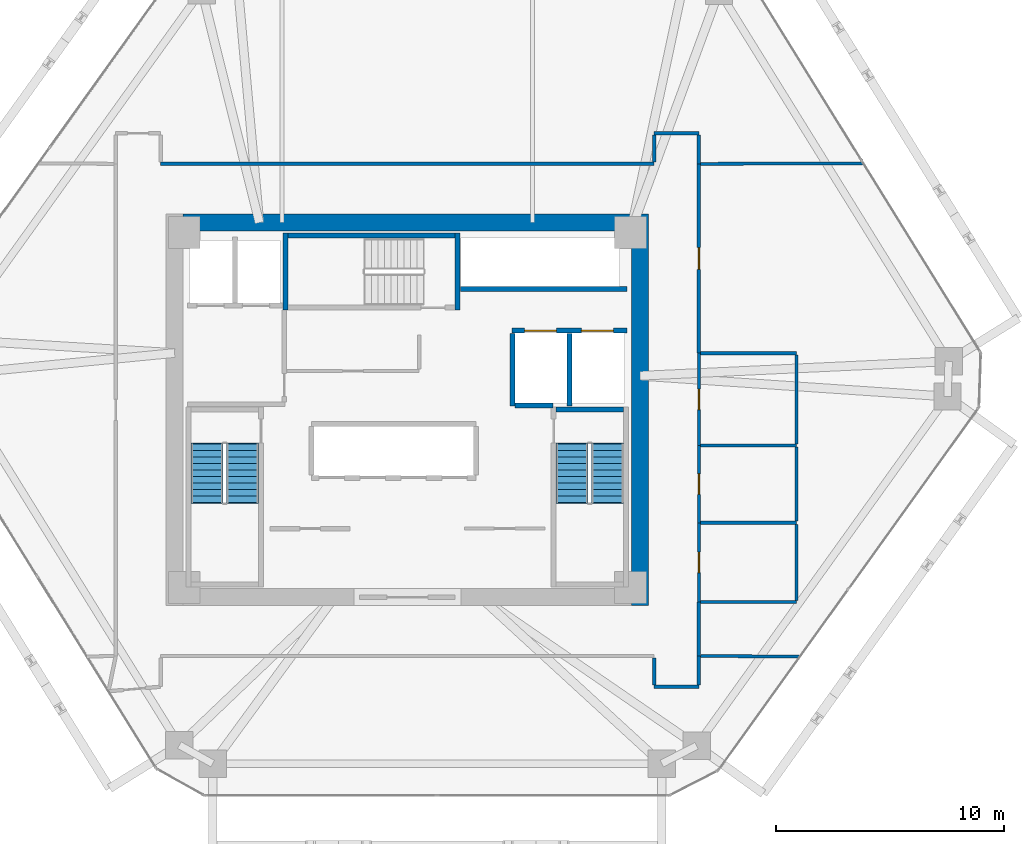
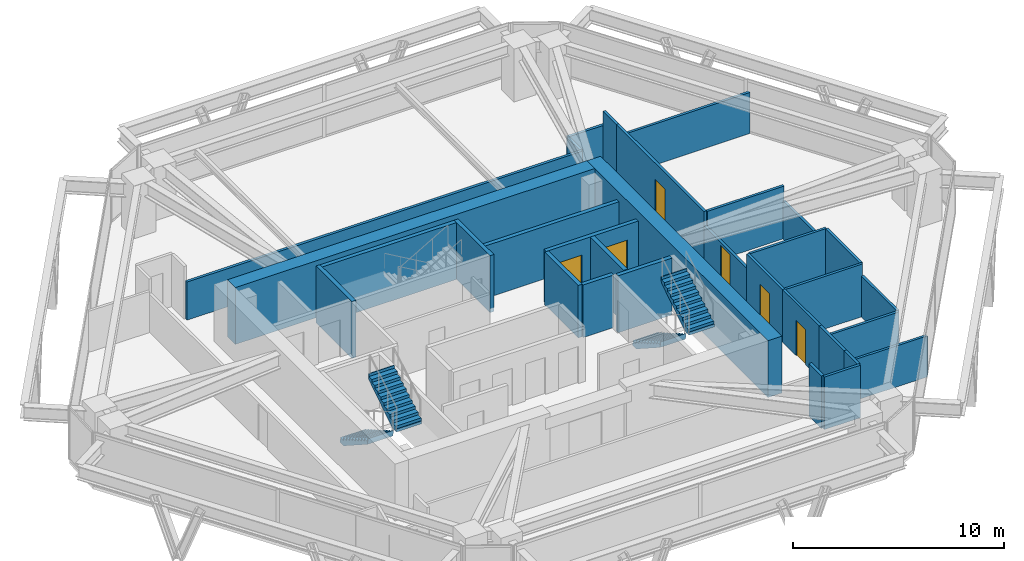
# One storey, part 11 of 13: 32 walls, 6 doors, 4 stair flights, 6 openings, 2 elements without a shape of their own.
"""IFC4 building model written with IfcOpenShell, lengths in metres."""

import ifcopenshell
import ifcopenshell.guid

model = None  # the IFC model being written
_history = None  # IfcOwnerHistory: only IFC2X3 demands one
_inside = {}  # id of a spatial element -> (the spatial element, [elements in it])
_under = {}  # id of a project, library or spatial element -> (it, [spatial elements below it])
_declared = {}  # id of a project -> (the project, [libraries it declares])
_typed = {}  # id of a type object -> (the type object, [elements of that type])
_made_of = {}  # id of a material, layer set ... -> (it, [elements and type objects made of it])


def new_model(schema):
    """Start an empty IFC model of exactly this schema.

    Asked for "IFC4X3", IfcOpenShell would pick the latest addendum, in which some entities
    have other attributes; the version numbers below select the first issue.
    IFC2X3 requires an IfcOwnerHistory on every rooted entity: one is made here for all.
    """
    global model, _history
    if schema == "IFC4X3":
        model = ifcopenshell.file(schema_version=(4, 3, 0, 0))
    else:
        model = ifcopenshell.file(schema=schema)
    _inside.clear()
    _under.clear()
    _declared.clear()
    _typed.clear()
    _made_of.clear()
    _history = None
    if model.schema == "IFC2X3":
        org = make("IfcOrganization", Name="unknown")
        user = make(
            "IfcPersonAndOrganization",
            ThePerson=make("IfcPerson", FamilyName="unknown"),
            TheOrganization=org,
        )
        app = make(
            "IfcApplication",
            ApplicationDeveloper=org,
            Version="unknown",
            ApplicationFullName="unknown",
            ApplicationIdentifier="unknown",
        )
        _history = make(
            "IfcOwnerHistory",
            OwningUser=user,
            OwningApplication=app,
            ChangeAction="ADDED",
            CreationDate=0,
        )
    return model


def make(cls, **values):
    """One entity of the class cls with the attributes given. An attribute that is None is left unset."""
    return model.create_entity(
        cls, **{name: value for name, value in values.items() if value is not None}
    )


def rooted(cls, **values):
    """An entity with a GlobalId (a new one), such as an element, a storey or a relation."""
    return make(cls, GlobalId=ifcopenshell.guid.new(), OwnerHistory=_history, **values)


def si_unit(unit_type, name, prefix=None):
    """IfcSIUnit, for example si_unit("LENGTHUNIT", "METRE", prefix="MILLI")."""
    return make("IfcSIUnit", UnitType=unit_type, Prefix=prefix, Name=name)


def assignment(units):
    """IfcUnitAssignment: the units of a project."""
    return None if units is None else make("IfcUnitAssignment", Units=units)


def point(xyz):
    """IfcCartesianPoint."""
    return None if xyz is None else make("IfcCartesianPoint", Coordinates=xyz)


def direction(xyz):
    """IfcDirection."""
    return None if xyz is None else make("IfcDirection", DirectionRatios=xyz)


def frame(location, z_axis=None, x_axis=None):
    """IfcAxis2Placement3D, a coordinate frame: its origin and axes. An axis left out is left unset."""
    return make(
        "IfcAxis2Placement3D",
        Location=point(location),
        Axis=direction(z_axis),
        RefDirection=direction(x_axis),
    )


def frame_2d(location, x_axis=None):
    """IfcAxis2Placement2D, a coordinate frame in the plane: its origin and x axis."""
    return make(
        "IfcAxis2Placement2D", Location=point(location), RefDirection=direction(x_axis)
    )


def origin():
    """The frame at (0, 0, 0) with its axes left unset."""
    return frame((0.0, 0.0, 0.0))


def place(relative_to, where):
    """IfcLocalPlacement: puts the frame where relative to a parent placement (None: the world)."""
    return make(
        "IfcLocalPlacement", PlacementRelTo=relative_to, RelativePlacement=where
    )


def context(
    kind, dimensions, precision=None, world=None, true_north=None, identifier=None
):
    """IfcGeometricRepresentationContext, for example the 3D "Model" context."""
    return make(
        "IfcGeometricRepresentationContext",
        ContextIdentifier=identifier,
        ContextType=kind,
        CoordinateSpaceDimension=dimensions,
        Precision=precision,
        WorldCoordinateSystem=world,
        TrueNorth=true_north,
    )


def subcontext(parent, identifier, kind, view, scale=None):
    """IfcGeometricRepresentationSubContext, for example "Body" below "Model"."""
    return make(
        "IfcGeometricRepresentationSubContext",
        ContextIdentifier=identifier,
        ContextType=kind,
        ParentContext=parent,
        TargetScale=scale,
        TargetView=view,
    )


def project(units=None, contexts=None):
    """IfcProject with its units and contexts."""
    return rooted(
        "IfcProject",
        Name="project",
        RepresentationContexts=contexts,
        UnitsInContext=assignment(units),
    )


def spatial(cls, under=None, at=None, **own):
    """A site, building, storey or space (cls), placed at a placement, below another one or the project."""
    s = rooted(cls, ObjectPlacement=at, **own)
    if under is not None:
        _under.setdefault(under.id(), (under, []))[1].append(s)
    return s


def polyline(points):
    """IfcPolyline through the points."""
    return make("IfcPolyline", Points=[point(p) for p in points])


def profile(cls, at=None, kind="AREA", **sizes):
    """A parametric profile (cls). Its sizes go by their IFC names, for example OverallWidth=200.0."""
    return make(cls, ProfileType=kind, Position=at, **sizes)


def rectangle(**sizes):
    """IfcRectangleProfileDef."""
    return profile("IfcRectangleProfileDef", **sizes)


def outline(outer, holes=None, kind="AREA"):
    """IfcArbitraryClosedProfileDef: a profile drawn as a closed curve; with holes, ...WithVoids."""
    if holes is None:
        return make("IfcArbitraryClosedProfileDef", ProfileType=kind, OuterCurve=outer)
    return make(
        "IfcArbitraryProfileDefWithVoids",
        ProfileType=kind,
        OuterCurve=outer,
        InnerCurves=holes,
    )


def extrude(swept, where, along, depth):
    """IfcExtrudedAreaSolid: the profile swept, set in the frame where, extruded along a direction by depth."""
    return make(
        "IfcExtrudedAreaSolid",
        SweptArea=swept,
        Position=where,
        ExtrudedDirection=direction(along),
        Depth=depth,
    )


def shape(context_of_items, identifier, shape_type, items):
    """IfcShapeRepresentation: the items that make up one representation, for example the "Body"."""
    return make(
        "IfcShapeRepresentation",
        ContextOfItems=context_of_items,
        RepresentationIdentifier=identifier,
        RepresentationType=shape_type,
        Items=items,
    )


def source(mapping_origin, context_of_items, identifier, shape_type, items):
    """IfcRepresentationMap: a shape defined once, which mapped items show again and again."""
    return make(
        "IfcRepresentationMap",
        MappingOrigin=mapping_origin,
        MappedRepresentation=shape(context_of_items, identifier, shape_type, items),
    )


def transform(
    local_origin,
    x_axis=None,
    y_axis=None,
    z_axis=None,
    scale=None,
    scale2=None,
    scale3=None,
    uniform=True,
):
    """IfcCartesianTransformationOperator3D, or its non-uniform kind. x_axis, y_axis, z_axis: its Axis1, 2, 3."""
    if uniform:
        return make(
            "IfcCartesianTransformationOperator3D",
            Axis1=direction(x_axis),
            Axis2=direction(y_axis),
            LocalOrigin=point(local_origin),
            Scale=scale,
            Axis3=direction(z_axis),
        )
    return make(
        "IfcCartesianTransformationOperator3DnonUniform",
        Axis1=direction(x_axis),
        Axis2=direction(y_axis),
        LocalOrigin=point(local_origin),
        Scale=scale,
        Axis3=direction(z_axis),
        Scale2=scale2,
        Scale3=scale3,
    )


def mapped(mapping_source, mapping_target):
    """IfcMappedItem: shows the shape of a source again, moved by a transform."""
    return make(
        "IfcMappedItem", MappingSource=mapping_source, MappingTarget=mapping_target
    )


def material(Name=None, Category=None):
    """IfcMaterial."""
    return make("IfcMaterial", Name=Name, Category=Category)


def layer(
    of_material, thickness, ventilated=None, Name=None, Category=None, Priority=None
):
    """IfcMaterialLayer: one layer of a wall or slab, of a material (None: an air gap)."""
    return make(
        "IfcMaterialLayer",
        Material=of_material,
        LayerThickness=thickness,
        IsVentilated=ventilated,
        Name=Name,
        Category=Category,
        Priority=Priority,
    )


def layer_set(layers, Name=None):
    """IfcMaterialLayerSet."""
    return make("IfcMaterialLayerSet", MaterialLayers=layers, LayerSetName=Name)


def made_of(thing, what):
    """Note that an element or type object is made of a material, layer set ...; save() writes the relation."""
    if what is not None:
        _made_of.setdefault(what.id(), (what, []))[1].append(thing)
    return thing


def type_object(cls, material=None, **own):
    """A type object (cls), such as IfcWallType, which elements share."""
    return made_of(rooted(cls, **own), material)


def type_shapes(of_type, sources):
    """Give a type object the sources (RepresentationMaps) that its elements show as mapped items."""
    of_type.RepresentationMaps = sources


def element(
    cls,
    number,
    at=None,
    inside=None,
    cuts=None,
    type_object=None,
    material=None,
    context=None,
    identifier="Body",
    shape_type=None,
    held_by="IfcProductDefinitionShape",
    body=None,
    shapes=None,
    **own,
):
    """One element of the class cls, such as IfcWall. Its Tag is "e" and its number.

    at: its placement. inside: the storey or other place that contains it. cuts: it is an
    opening in that element (IfcRelVoidsElement). A single representation is given by context,
    identifier, shape_type and body (its items); several are given by shapes. held_by: the class
    of the entity that holds the representations. save() writes the other relations.
    """
    e = rooted(cls, Tag="e%d" % number, ObjectPlacement=at, **own)
    if body is not None:
        shapes = [shape(context, identifier, shape_type, body)]
    if shapes is not None:
        e.Representation = make(held_by, Representations=shapes)
    if inside is not None:
        _inside.setdefault(inside.id(), (inside, []))[1].append(e)
    if cuts is not None:
        rooted(
            "IfcRelVoidsElement", RelatingBuildingElement=cuts, RelatedOpeningElement=e
        )
    if type_object is not None:
        _typed.setdefault(type_object.id(), (type_object, []))[1].append(e)
    return made_of(e, material)


def fill(opening, filler):
    """IfcRelFillsElement: the door or window that sits in an opening."""
    return rooted(
        "IfcRelFillsElement",
        RelatingOpeningElement=opening,
        RelatedBuildingElement=filler,
    )


def aggregate(whole, parts):
    """IfcRelAggregates: a whole, such as a stair, and the parts it consists of."""
    return rooted("IfcRelAggregates", RelatingObject=whole, RelatedObjects=parts)


def save(model, path):
    """Write the relations noted so far, then the file.

    IfcRelAggregates (storeys below a building ...), IfcRelContainedInSpatialStructure (elements
    in a storey), IfcRelDefinesByType, IfcRelAssociatesMaterial and IfcRelDeclares: one each for
    every whole, place, type object, material and project.
    """
    for whole, parts in _under.values():
        aggregate(whole, parts)
    for where, things in _inside.values():
        rooted(
            "IfcRelContainedInSpatialStructure",
            RelatedElements=things,
            RelatingStructure=where,
        )
    for kind, things in _typed.values():
        rooted("IfcRelDefinesByType", RelatedObjects=things, RelatingType=kind)
    for what, things in _made_of.values():
        rooted("IfcRelAssociatesMaterial", RelatedObjects=things, RelatingMaterial=what)
    for by, libraries in _declared.values():
        rooted("IfcRelDeclares", RelatingContext=by, RelatedDefinitions=libraries)
    model.write(path)


model = new_model("IFC4")

# Units and contexts
model_context = context("Model", 3, precision=1e-05, world=origin(), true_north=direction((0.0, 1.0)))
body_context = subcontext(model_context, "Body", "Model", "MODEL_VIEW")
ifc_project = project(units=[si_unit("LENGTHUNIT", "METRE"), si_unit("AREAUNIT", "SQUARE_METRE"), si_unit("VOLUMEUNIT", "CUBIC_METRE"), si_unit("PLANEANGLEUNIT", "RADIAN"), si_unit("MASSUNIT", "GRAM", prefix="KILO")], contexts=[model_context])

# Site, building, storey
site_placement = place(None, origin())
site = spatial("IfcSite", under=ifc_project, at=site_placement, CompositionType="ELEMENT")
building_placement = place(site_placement, origin())
building = spatial("IfcBuilding", under=site, at=building_placement, Name="Durnholm Broadcast Tower", CompositionType="ELEMENT")
storey_placement = place(building_placement, frame((0.0, 0.0, 100.800048828125)))
storey = spatial("IfcBuildingStorey", under=building, at=storey_placement, Name="L26", CompositionType="ELEMENT", Elevation=100.800048828125)

# Walls
ifc_material_1 = material(Name="Concrete C70/85", Category="concrete")
ifc_layer_1 = layer(ifc_material_1, 0.75)
ifc_layer_set_1 = layer_set([ifc_layer_1], Name="Concrete C70/85")
wall_type_1 = type_object("IfcWallType", Name="WALL-CW-750", PredefinedType="SHEAR", material=ifc_layer_set_1)
wall_1_placement = place(storey_placement, frame((10.22509765625, -8.60009765625, 0.0), z_axis=(0.0, 0.0, 1.0), x_axis=(0.0, 1.0, 0.0)))
element("IfcWall", 1, at=wall_1_placement, inside=storey, type_object=wall_type_1, Name="L26 central core shear wall CW-EAST", PredefinedType="SHEAR", context=body_context, shape_type="SweptSolid", body=[
    extrude(rectangle(XDim=17.2001953125, YDim=0.75, at=frame_2d((8.60009765625, 0.0))), origin(), (0.0, 0.0, 1.0), 3.300048828125),
])
wall_2_placement = place(storey_placement, frame((-9.85009765625, 8.22509765625, 0.0), z_axis=(0.0, 0.0, 1.0), x_axis=(1.0, 0.0, 0.0)))
element("IfcWall", 2, at=wall_2_placement, inside=storey, type_object=wall_type_1, Name="L26 central core shear wall CW-N", PredefinedType="SHEAR", context=body_context, shape_type="SweptSolid", body=[
    extrude(rectangle(XDim=19.7001953125, YDim=0.75, at=frame_2d((9.85009765625, 0.0))), origin(), (0.0, 0.0, 1.0), 3.300048828125),
])
ifc_material_2 = material(Name="Gypsum Metal Stud Partition", Category="concrete")
ifc_layer_2 = layer(ifc_material_2, 0.135009765625)
ifc_layer_set_2 = layer_set([ifc_layer_2], Name="Gypsum Metal Stud Partition")
wall_type_2 = type_object("IfcWallType", Name="WALL-PART-135", PredefinedType="PARTITIONING", material=ifc_layer_set_2)
wall_3_placement = place(storey_placement, frame((20.03515625, 10.8310546875, 0.0), z_axis=(0.0, 0.0, 1.0), x_axis=(-0.999995783715, -0.002903885812, 0.0)))
element("IfcWall", 3, at=wall_3_placement, inside=storey, type_object=wall_type_2, Name="L26 room dividing partition 7.10", PredefinedType="PARTITIONING", context=body_context, shape_type="SweptSolid", body=[
    extrude(rectangle(XDim=7.146240234375, YDim=0.135009765625, at=frame_2d((3.5732421875, 0.0))), origin(), (0.0, 0.0, 1.0), 2.3798828125),
])
wall_4_placement = place(storey_placement, frame((12.888916015625, -10.810302734375, 0.0), z_axis=(0.0, 0.0, 1.0), x_axis=(0.999986140562, -0.005264853658, 0.0)))
element("IfcWall", 4, at=wall_4_placement, inside=storey, type_object=wall_type_2, Name="L26 room dividing partition 8.10", PredefinedType="PARTITIONING", context=body_context, shape_type="SweptSolid", body=[
    extrude(rectangle(XDim=4.35888671875, YDim=0.135009765625, at=frame_2d((2.179443359375, 0.0))), origin(), (0.0, 0.0, 1.0), 2.3798828125),
])
ifc_material_3 = material(Name="Acoustic Gypsum Stud Partition", Category="concrete")
ifc_layer_3 = layer(ifc_material_3, 0.14990234375)
ifc_layer_set_3 = layer_set([ifc_layer_3], Name="Acoustic Gypsum Stud Partition")
wall_type_3 = type_object("IfcWallType", Name="WALL-PART-150", PredefinedType="PARTITIONING", material=ifc_layer_set_3)
wall_5_placement = place(storey_placement, frame((10.840087890625, 10.81005859375, 0.0), z_axis=(0.0, 0.0, 1.0), x_axis=(-1.0, 0.0, 0.0)))
element("IfcWall", 5, at=wall_5_placement, inside=storey, type_object=wall_type_3, Name="L26 Network Operations Hall corridor partition", PredefinedType="PARTITIONING", context=body_context, shape_type="SweptSolid", body=[
    extrude(rectangle(XDim=21.68017578125, YDim=0.14990234375, at=frame_2d((10.840087890625, 0.0))), origin(), (0.0, 0.0, 1.0), 2.212158203125),
])
wall_6_placement = place(storey_placement, frame((12.81005859375, 12.159912109375, 0.0), z_axis=(0.0, 0.0, 1.0), x_axis=(-1.0, 0.0, 0.0)))
element("IfcWall", 6, at=wall_6_placement, inside=storey, type_object=wall_type_3, Name="L26 Network Operations Hall corridor partition", PredefinedType="PARTITIONING", context=body_context, shape_type="SweptSolid", body=[
    extrude(rectangle(XDim=1.969970703125, YDim=0.14990234375, at=frame_2d((0.98486328125, 0.0))), origin(), (0.0, 0.0, 1.0), 2.212158203125),
])
wall_7_placement = place(storey_placement, frame((12.81005859375, 10.81005859375, 0.0), z_axis=(0.0, 0.0, 1.0), x_axis=(0.0, 1.0, 0.0)))
element("IfcWall", 7, at=wall_7_placement, inside=storey, type_object=wall_type_3, Name="L26 Network Operations Hall corridor partition", PredefinedType="PARTITIONING", context=body_context, shape_type="SweptSolid", body=[
    extrude(rectangle(XDim=1.27099609375, YDim=0.14990234375, at=frame_2d((0.635498046875, 0.0))), origin(), (0.0, 0.0, 1.0), 3.044921875),
])
wall_8_placement = place(storey_placement, frame((10.840087890625, 12.0810546875, 0.0), z_axis=(0.0, 0.0, 1.0), x_axis=(0.0, -1.0, 0.0)))
element("IfcWall", 8, at=wall_8_placement, inside=storey, type_object=wall_type_3, Name="L26 Network Operations Hall corridor partition", PredefinedType="PARTITIONING", context=body_context, shape_type="SweptSolid", body=[
    extrude(rectangle(XDim=1.192138671875, YDim=0.14990234375, at=frame_2d((0.59619140625, 0.0))), origin(), (0.0, 0.0, 1.0), 2.212158203125),
])
wall_9_placement = place(storey_placement, frame((10.840087890625, -12.159912109375, 0.0), z_axis=(0.0, 0.0, 1.0), x_axis=(1.0, 0.0, 0.0)))
element("IfcWall", 9, at=wall_9_placement, inside=storey, type_object=wall_type_3, Name="L26 Open Plan Broadcast Workspace 3 corridor partition", PredefinedType="PARTITIONING", context=body_context, shape_type="SweptSolid", body=[
    extrude(rectangle(XDim=1.969970703125, YDim=0.14990234375, at=frame_2d((0.98486328125, 0.0))), origin(), (0.0, 0.0, 1.0), 3.044921875),
])
wall_10_placement = place(storey_placement, frame((10.840087890625, -10.888916015625, 0.0), z_axis=(0.0, 0.0, 1.0), x_axis=(0.0, -1.0, 0.0)))
element("IfcWall", 10, at=wall_10_placement, inside=storey, type_object=wall_type_3, Name="L26 Open Plan Broadcast Workspace 3 corridor partition", PredefinedType="PARTITIONING", context=body_context, shape_type="SweptSolid", body=[
    extrude(rectangle(XDim=1.192138671875, YDim=0.14990234375, at=frame_2d((0.59619140625, 0.0))), origin(), (0.0, 0.0, 1.0), 3.044921875),
])
wall_11_placement = place(storey_placement, frame((12.81005859375, -12.0810546875, 0.0), z_axis=(0.0, 0.0, 1.0), x_axis=(0.0, 1.0, 0.0)))
element("IfcWall", 11, at=wall_11_placement, inside=storey, type_object=wall_type_3, Name="L26 Open Plan Broadcast Workspace 3 corridor partition", PredefinedType="PARTITIONING", context=body_context, shape_type="SweptSolid", body=[
    extrude(rectangle(XDim=1.27099609375, YDim=0.14990234375, at=frame_2d((0.635498046875, 0.0))), origin(), (0.0, 0.0, 1.0), 3.044921875),
])

# Wall, opening, door
wall_12_placement = place(storey_placement, frame((12.81005859375, 2.489990234375, 0.0), z_axis=(0.0, 0.0, 1.0), x_axis=(0.0, 1.0, 0.0)))
wall_12 = element("IfcWall", 12, at=wall_12_placement, inside=storey, type_object=wall_type_3, Name="L26 Systems Lounge corridor partition", PredefinedType="PARTITIONING", context=body_context, shape_type="SweptSolid", body=[
    extrude(rectangle(XDim=8.320068359375, YDim=0.14990234375, at=frame_2d((4.16015625, 0.0))), origin(), (0.0, 0.0, 1.0), 3.044921875),
])
opening_1_placement = place(wall_12_placement, frame((3.68505859375, 0.0, 0.0)))
opening_1 = element("IfcOpeningElement", 13, at=opening_1_placement, cuts=wall_12, Name="Opening DR-95R", PredefinedType="OPENING", context=body_context, shape_type="SweptSolid", body=[
    extrude(rectangle(XDim=0.949951171875, YDim=2.10009765625, at=frame_2d((0.47509765625, 1.050048828125))), frame((0.0, 0.0849609375, 0.0), z_axis=(0.0, -1.0, 0.0), x_axis=(1.0, 0.0, 0.0)), (0.0, 0.0, 1.0), 0.169921875),
])
ifc_material_4 = material(Name="Acoustic Oak Veneer Timber Door", Category="wood")
ifc_layer_4 = layer(ifc_material_4, 0.050048828125)
ifc_layer_set_4 = layer_set([ifc_layer_4], Name="Acoustic Oak Veneer Timber Door")
door_type_1 = type_object("IfcDoorType", Name="DOOR-RM-950R", OperationType="NOTDEFINED", PredefinedType="DOOR", material=ifc_layer_set_4)
shared_shape_1 = source(origin(), body_context, "Body", "SweptSolid", [
    extrude(rectangle(XDim=0.949951171875, YDim=2.10009765625, at=frame_2d((0.47509765625, 1.050048828125))), frame((0.0, 0.02490234375, 0.0), z_axis=(0.0, -1.0, 0.0), x_axis=(1.0, 0.0, 0.0)), (0.0, 0.0, 1.0), 0.050048828125),
])
type_shapes(door_type_1, [shared_shape_1])
door_1_placement = place(opening_1_placement, origin())
door_1 = element("IfcDoor", 14, at=door_1_placement, inside=storey, type_object=door_type_1, Name="L26 Systems Lounge entrance door", OperationType="SINGLE_SWING_RIGHT", OverallHeight=2.10009765625, OverallWidth=0.949951171875, PredefinedType="DOOR", context=body_context, shape_type="MappedRepresentation", body=[
    mapped(shared_shape_1, transform((0.0, 0.0, 0.0), x_axis=(1.0, 0.0, 0.0), y_axis=(0.0, 1.0, 0.0), z_axis=(0.0, 0.0, 1.0), scale=1.0)),
])
fill(opening_1, door_1)

# Wall
wall_13_placement = place(storey_placement, frame((12.81005859375, -10.81005859375, 0.0), z_axis=(0.0, 0.0, 1.0), x_axis=(0.0, 1.0, 0.0)))
element("IfcWall", 15, at=wall_13_placement, inside=storey, type_object=wall_type_3, Name="L26 Systems Lounge corridor partition", PredefinedType="PARTITIONING", context=body_context, shape_type="SweptSolid", body=[
    extrude(rectangle(XDim=2.3701171875, YDim=0.14990234375, at=frame_2d((1.18505859375, 0.0))), origin(), (0.0, 0.0, 1.0), 3.044921875),
])

# Wall, openings, doors
ifc_material_5 = material(Name="Concrete Blockwork C30/37", Category="masonry")
ifc_layer_5 = layer(ifc_material_5, 0.219970703125)
ifc_layer_set_5 = layer_set([ifc_layer_5], Name="Concrete Blockwork C30/37")
wall_type_4 = type_object("IfcWallType", Name="WALL-SHAFT-220", PredefinedType="SOLIDWALL", material=ifc_layer_set_5)
wall_14_placement = place(storey_placement, frame((4.60009765625, 3.47998046875, 0.0), z_axis=(0.0, 0.0, 1.0), x_axis=(1.0, 0.0, 0.0)))
wall_14 = element("IfcWall", 16, at=wall_14_placement, inside=storey, type_object=wall_type_4, Name="L26 freight service lifts north front wall", PredefinedType="SOLIDWALL", context=body_context, shape_type="SweptSolid", body=[
    extrude(rectangle(XDim=5.0498046875, YDim=0.219970703125, at=frame_2d((2.52490234375, 0.0))), origin(), (0.0, 0.0, 1.0), 3.044921875),
])
opening_2_placement = place(wall_14_placement, frame((0.550048828125, 0.0, 0.0)))
opening_2 = element("IfcOpeningElement", 17, at=opening_2_placement, cuts=wall_14, Name="Opening LD-SVL-2", PredefinedType="OPENING", context=body_context, shape_type="SweptSolid", body=[
    extrude(rectangle(XDim=1.39990234375, YDim=2.14990234375, at=frame_2d((0.699951171875, 1.074951171875))), frame((0.0, 0.1201171875, 0.0), z_axis=(0.0, -1.0, 0.0), x_axis=(1.0, 0.0, 0.0)), (0.0, 0.0, 1.0), 0.239990234375),
])
opening_3_placement = place(wall_14_placement, frame((3.050048828125, 0.0, 0.0)))
opening_3 = element("IfcOpeningElement", 18, at=opening_3_placement, cuts=wall_14, Name="Opening LD-SVL-1", PredefinedType="OPENING", context=body_context, shape_type="SweptSolid", body=[
    extrude(rectangle(XDim=1.39990234375, YDim=2.14990234375, at=frame_2d((0.699951171875, 1.074951171875))), frame((0.0, 0.1201171875, 0.0), z_axis=(0.0, -1.0, 0.0), x_axis=(1.0, 0.0, 0.0)), (0.0, 0.0, 1.0), 0.239990234375),
])
ifc_material_6 = material(Name="Freight Elevator Bi-Parting Sliding Landing Door", Category="steel")
ifc_layer_6 = layer(ifc_material_6, 0.050048828125)
ifc_layer_set_6 = layer_set([ifc_layer_6], Name="Freight Elevator Bi-Parting Sliding Landing Door")
door_type_2 = type_object("IfcDoorType", Name="DOOR-LIFT-SVL", OperationType="DOUBLE_DOOR_SLIDING", PredefinedType="DOOR", material=ifc_layer_set_6)
shared_shape_2 = source(origin(), body_context, "Body", "SweptSolid", [
    extrude(rectangle(XDim=1.39990234375, YDim=2.14990234375, at=frame_2d((0.699951171875, 1.074951171875))), frame((0.0, 0.02490234375, 0.0), z_axis=(0.0, -1.0, 0.0), x_axis=(1.0, 0.0, 0.0)), (0.0, 0.0, 1.0), 0.050048828125),
])
type_shapes(door_type_2, [shared_shape_2])
door_2_placement = place(opening_2_placement, origin())
door_2 = element("IfcDoor", 19, at=door_2_placement, inside=storey, type_object=door_type_2, Name="L26 freight service elevator SVL-2 sliding landing door", OperationType="DOUBLE_DOOR_SLIDING", OverallHeight=2.14990234375, OverallWidth=1.39990234375, PredefinedType="DOOR", context=body_context, shape_type="MappedRepresentation", body=[
    mapped(shared_shape_2, transform((0.0, 0.0, 0.0), x_axis=(1.0, 0.0, 0.0), y_axis=(0.0, 1.0, 0.0), z_axis=(0.0, 0.0, 1.0), scale=1.0)),
])
fill(opening_2, door_2)
door_3_placement = place(opening_3_placement, origin())
door_3 = element("IfcDoor", 20, at=door_3_placement, inside=storey, type_object=door_type_2, Name="L26 freight service elevator SVL-1 sliding landing door", OperationType="DOUBLE_DOOR_SLIDING", OverallHeight=2.14990234375, OverallWidth=1.39990234375, PredefinedType="DOOR", context=body_context, shape_type="MappedRepresentation", body=[
    mapped(shared_shape_2, transform((0.0, 0.0, 0.0), x_axis=(1.0, 0.0, 0.0), y_axis=(0.0, 1.0, 0.0), z_axis=(0.0, 0.0, 1.0), scale=1.0)),
])
fill(opening_3, door_3)

# Walls
for number, where, z_axis, x_axis, name in (
    (21, (4.6201171875, 0.179931640625, 0.0), (0.0, 0.0, 1.0), (0.0, 1.0, 0.0), "L26 freight service lift SVL-2 west wall"),
    (22, (7.1201171875, 0.179931640625, 0.0), (0.0, 0.0, 1.0), (0.0, 1.0, 0.0), "L26 freight service lifts divider wall"),
):
    element("IfcWall", number, at=place(storey_placement, frame(where, z_axis=z_axis, x_axis=x_axis)), inside=storey, type_object=wall_type_4, Name=name, PredefinedType="SOLIDWALL", context=body_context, shape_type="SweptSolid", body=[
        extrude(rectangle(XDim=3.18603515625, YDim=0.219970703125, at=frame_2d((1.593017578125, 0.0))), origin(), (0.0, 0.0, 1.0), 3.044921875),
    ])
wall_15_placement = place(storey_placement, frame((4.73388671875, 0.199951171875, 0.0), z_axis=(0.0, 0.0, 1.0), x_axis=(1.0, 0.0, 0.0)))
element("IfcWall", 23, at=wall_15_placement, inside=storey, type_object=wall_type_4, Name="L26 freight service lift SVL-2 south wall", PredefinedType="SOLIDWALL", context=body_context, shape_type="SweptSolid", body=[
    extrude(rectangle(XDim=1.666015625, YDim=0.219970703125, at=frame_2d((0.8330078125, 0.0))), origin(), (0.0, 0.0, 1.0), 3.044921875),
])
wall_16_placement = place(storey_placement, frame((2.324951171875, 5.320068359375, 0.0), z_axis=(0.0, 0.0, 1.0), x_axis=(1.0, 0.0, 0.0)))
element("IfcWall", 24, at=wall_16_placement, inside=storey, type_object=wall_type_4, Name="L26 high-rise bank P3 south front wall", PredefinedType="SOLIDWALL", context=body_context, shape_type="SweptSolid", body=[
    extrude(rectangle(XDim=7.324951171875, YDim=0.219970703125, at=frame_2d((3.66259765625, 0.0))), origin(), (0.0, 0.0, 1.0), 3.044921875),
])
ifc_material_7 = material(Name="Concrete C50/60", Category="concrete")
ifc_layer_7 = layer(ifc_material_7, 0.219970703125)
ifc_layer_set_7 = layer_set([ifc_layer_7], Name="Concrete C50/60")
wall_type_5 = type_object("IfcWallType", Name="WALL-SW-220", PredefinedType="SHEAR", material=ifc_layer_set_7)
wall_17_placement = place(storey_placement, frame((9.5, 0.010009765625, -0.239990234375), z_axis=(0.0, 0.0, 1.0), x_axis=(-1.0, 0.0, 0.0)))
element("IfcWall", 25, at=wall_17_placement, inside=storey, type_object=wall_type_5, Name="L26 stair ST-2 structural shaft wall N", PredefinedType="SHEAR", context=body_context, shape_type="SweptSolid", body=[
    extrude(rectangle(XDim=2.9599609375, YDim=0.219970703125, at=frame_2d((1.47998046875, 0.0))), origin(), (0.0, 0.0, 1.0), 3.300048828125),
])
for number, where, z_axis, x_axis, name in (
    (26, (2.2099609375, 4.3798828125, -0.239990234375), (0.0, 0.0, 1.0), (0.0, 1.0, 0.0), "L26 stair ST-3 structural shaft wall E"),
    (27, (-5.360107421875, 7.780029296875, -0.239990234375), (0.0, 0.0, 1.0), (0.0, -1.0, 0.0), "L26 stair ST-3 structural shaft wall W"),
):
    element("IfcWall", number, at=place(storey_placement, frame(where, z_axis=z_axis, x_axis=x_axis)), inside=storey, type_object=wall_type_5, Name=name, PredefinedType="SHEAR", context=body_context, shape_type="SweptSolid", body=[
        extrude(rectangle(XDim=3.400146484375, YDim=0.219970703125, at=frame_2d((1.7001953125, 0.0))), origin(), (0.0, 0.0, 1.0), 3.300048828125),
    ])
wall_18_placement = place(storey_placement, frame((2.10009765625, 7.669921875, -0.239990234375), z_axis=(0.0, 0.0, 1.0), x_axis=(-1.0, 0.0, 0.0)))
element("IfcWall", 28, at=wall_18_placement, inside=storey, type_object=wall_type_5, Name="L26 stair ST-3 structural shaft wall N", PredefinedType="SHEAR", context=body_context, shape_type="SweptSolid", body=[
    extrude(rectangle(XDim=7.35009765625, YDim=0.219970703125, at=frame_2d((3.675048828125, 0.0))), origin(), (0.0, 0.0, 1.0), 3.300048828125),
])

# Wall, opening, door
ifc_material_8 = material(Name="Moisture-Resistant Tile Partition", Category="concrete")
ifc_layer_8 = layer(ifc_material_8, 0.139892578125)
ifc_layer_set_8 = layer_set([ifc_layer_8], Name="Moisture-Resistant Tile Partition")
wall_type_6 = type_object("IfcWallType", Name="WALL-WC-140", PredefinedType="PARTITIONING", material=ifc_layer_set_8)
wall_19_placement = place(storey_placement, frame((12.81005859375, -8.43994140625, 0.0), z_axis=(0.0, 0.0, 1.0), x_axis=(0.0, 1.0, 0.0)))
wall_19 = element("IfcWall", 29, at=wall_19_placement, inside=storey, type_object=wall_type_6, Name="L26 Men's Restroom corridor partition", PredefinedType="PARTITIONING", context=body_context, shape_type="SweptSolid", body=[
    extrude(rectangle(XDim=3.47998046875, YDim=0.139892578125, at=frame_2d((1.739990234375, 0.0))), origin(), (0.0, 0.0, 1.0), 3.044921875),
])
opening_4_placement = place(wall_19_placement, frame((1.2900390625, 0.0, 0.0)))
opening_4 = element("IfcOpeningElement", 30, at=opening_4_placement, cuts=wall_19, Name="Opening DW-90R", PredefinedType="OPENING", context=body_context, shape_type="SweptSolid", body=[
    extrude(rectangle(XDim=0.89990234375, YDim=2.050048828125, at=frame_2d((0.449951171875, 1.02490234375))), frame((0.0, 0.080078125, 0.0), z_axis=(0.0, -1.0, 0.0), x_axis=(1.0, 0.0, 0.0)), (0.0, 0.0, 1.0), 0.159912109375),
])
ifc_material_9 = material(Name="Laminate Restroom Door", Category="steel")
ifc_layer_9 = layer(ifc_material_9, 0.050048828125)
ifc_layer_set_9 = layer_set([ifc_layer_9], Name="Laminate Restroom Door")
door_type_3 = type_object("IfcDoorType", Name="DOOR-WC-900R", OperationType="NOTDEFINED", PredefinedType="DOOR", material=ifc_layer_set_9)
shared_shape_3 = source(origin(), body_context, "Body", "SweptSolid", [
    extrude(rectangle(XDim=0.89990234375, YDim=2.050048828125, at=frame_2d((0.449951171875, 1.02490234375))), frame((0.0, 0.02490234375, 0.0), z_axis=(0.0, -1.0, 0.0), x_axis=(1.0, 0.0, 0.0)), (0.0, 0.0, 1.0), 0.050048828125),
])
type_shapes(door_type_3, [shared_shape_3])
door_4_placement = place(opening_4_placement, origin())
door_4 = element("IfcDoor", 31, at=door_4_placement, inside=storey, type_object=door_type_3, Name="L26 Men's Restroom entrance door", OperationType="SINGLE_SWING_RIGHT", OverallHeight=2.050048828125, OverallWidth=0.89990234375, PredefinedType="DOOR", context=body_context, shape_type="MappedRepresentation", body=[
    mapped(shared_shape_3, transform((0.0, 0.0, 0.0), x_axis=(1.0, 0.0, 0.0), y_axis=(0.0, 1.0, 0.0), z_axis=(0.0, 0.0, 1.0), scale=1.0)),
])
fill(opening_4, door_4)

wall_20_placement = place(storey_placement, frame((12.81005859375, -4.9599609375, 0.0), z_axis=(0.0, 0.0, 1.0), x_axis=(0.0, 1.0, 0.0)))
wall_20 = element("IfcWall", 32, at=wall_20_placement, inside=storey, type_object=wall_type_6, Name="L26 Women's Restroom corridor partition", PredefinedType="PARTITIONING", context=body_context, shape_type="SweptSolid", body=[
    extrude(rectangle(XDim=3.39990234375, YDim=0.139892578125, at=frame_2d((1.699951171875, 0.0))), origin(), (0.0, 0.0, 1.0), 3.044921875),
])
opening_5_placement = place(wall_20_placement, frame((1.25, 0.0, 0.0)))
opening_5 = element("IfcOpeningElement", 33, at=opening_5_placement, cuts=wall_20, Name="Opening DW-90L", PredefinedType="OPENING", context=body_context, shape_type="SweptSolid", body=[
    extrude(rectangle(XDim=0.89990234375, YDim=2.050048828125, at=frame_2d((0.449951171875, 1.02490234375))), frame((0.0, 0.080078125, 0.0), z_axis=(0.0, -1.0, 0.0), x_axis=(1.0, 0.0, 0.0)), (0.0, 0.0, 1.0), 0.159912109375),
])
ifc_layer_10 = layer(ifc_material_9, 0.050048828125)
ifc_layer_set_10 = layer_set([ifc_layer_10], Name="Laminate Restroom Door")
door_type_4 = type_object("IfcDoorType", Name="DOOR-WC-900L", OperationType="NOTDEFINED", PredefinedType="DOOR", material=ifc_layer_set_10)
shared_shape_4 = source(origin(), body_context, "Body", "SweptSolid", [
    extrude(rectangle(XDim=0.89990234375, YDim=2.050048828125, at=frame_2d((0.449951171875, 1.02490234375))), frame((0.0, 0.02490234375, 0.0), z_axis=(0.0, -1.0, 0.0), x_axis=(1.0, 0.0, 0.0)), (0.0, 0.0, 1.0), 0.050048828125),
])
type_shapes(door_type_4, [shared_shape_4])
door_5_placement = place(opening_5_placement, origin())
door_5 = element("IfcDoor", 34, at=door_5_placement, inside=storey, type_object=door_type_4, Name="L26 Women's Restroom entrance door", OperationType="SINGLE_SWING_LEFT", OverallHeight=2.050048828125, OverallWidth=0.89990234375, PredefinedType="DOOR", context=body_context, shape_type="MappedRepresentation", body=[
    mapped(shared_shape_4, transform((0.0, 0.0, 0.0), x_axis=(1.0, 0.0, 0.0), y_axis=(0.0, 1.0, 0.0), z_axis=(0.0, 0.0, 1.0), scale=1.0)),
])
fill(opening_5, door_5)

wall_21_placement = place(storey_placement, frame((12.81005859375, -1.56005859375, 0.0), z_axis=(0.0, 0.0, 1.0), x_axis=(0.0, 1.0, 0.0)))
wall_21 = element("IfcWall", 35, at=wall_21_placement, inside=storey, type_object=wall_type_6, Name="L26 Accessible Restroom corridor partition", PredefinedType="PARTITIONING", context=body_context, shape_type="SweptSolid", body=[
    extrude(rectangle(XDim=4.050048828125, YDim=0.139892578125, at=frame_2d((2.02490234375, 0.0))), origin(), (0.0, 0.0, 1.0), 2.212158203125),
])
opening_6_placement = place(wall_21_placement, frame((1.574951171875, 0.0, 0.0)))
opening_6 = element("IfcOpeningElement", 36, at=opening_6_placement, cuts=wall_21, Name="Opening DW-90R", PredefinedType="OPENING", context=body_context, shape_type="SweptSolid", body=[
    extrude(rectangle(XDim=0.89990234375, YDim=2.050048828125, at=frame_2d((0.449951171875, 1.02490234375))), frame((0.0, 0.080078125, 0.0), z_axis=(0.0, -1.0, 0.0), x_axis=(1.0, 0.0, 0.0)), (0.0, 0.0, 1.0), 0.159912109375),
])
door_6_placement = place(opening_6_placement, origin())
door_6 = element("IfcDoor", 37, at=door_6_placement, inside=storey, type_object=door_type_3, Name="L26 Accessible Restroom entrance door", OperationType="SINGLE_SWING_RIGHT", OverallHeight=2.050048828125, OverallWidth=0.89990234375, PredefinedType="DOOR", context=body_context, shape_type="MappedRepresentation", body=[
    mapped(shared_shape_3, transform((0.0, 0.0, 0.0), x_axis=(1.0, 0.0, 0.0), y_axis=(0.0, 1.0, 0.0), z_axis=(0.0, 0.0, 1.0), scale=1.0)),
])
fill(opening_6, door_6)

# Walls
wall_22_placement = place(storey_placement, frame((12.884033203125, -4.9599609375, 0.0), z_axis=(0.0, 0.0, 1.0), x_axis=(1.0, 0.0, 0.0)))
element("IfcWall", 38, at=wall_22_placement, inside=storey, type_object=wall_type_6, Name="L26 room dividing partition 4.5", PredefinedType="PARTITIONING", context=body_context, shape_type="SweptSolid", body=[
    extrude(rectangle(XDim=4.2060546875, YDim=0.139892578125, at=frame_2d((2.10302734375, 0.0))), origin(), (0.0, 0.0, 1.0), 3.044921875),
])
wall_23_placement = place(storey_placement, frame((17.090087890625, -8.43994140625, 0.0), z_axis=(0.0, 0.0, 1.0), x_axis=(-1.0, 0.0, 0.0)))
element("IfcWall", 39, at=wall_23_placement, inside=storey, type_object=wall_type_6, Name="L26 room dividing partition 4.10", PredefinedType="PARTITIONING", context=body_context, shape_type="SweptSolid", body=[
    extrude(rectangle(XDim=4.201171875, YDim=0.139892578125, at=frame_2d((2.1005859375, 0.0))), origin(), (0.0, 0.0, 1.0), 2.3798828125),
])
wall_24_placement = place(storey_placement, frame((17.090087890625, -5.033935546875, 0.0), z_axis=(0.0, 0.0, 1.0), x_axis=(0.0, -1.0, 0.0)))
element("IfcWall", 40, at=wall_24_placement, inside=storey, type_object=wall_type_6, Name="L26 room dividing partition 4.10", PredefinedType="PARTITIONING", context=body_context, shape_type="SweptSolid", body=[
    extrude(rectangle(XDim=3.33203125, YDim=0.139892578125, at=frame_2d((1.666015625, 0.0))), origin(), (0.0, 0.0, 1.0), 2.3798828125),
])
wall_25_placement = place(storey_placement, frame((12.884033203125, -1.56005859375, 0.0), z_axis=(0.0, 0.0, 1.0), x_axis=(1.0, 0.0, 0.0)))
element("IfcWall", 41, at=wall_25_placement, inside=storey, type_object=wall_type_6, Name="L26 room dividing partition 5.6", PredefinedType="PARTITIONING", context=body_context, shape_type="SweptSolid", body=[
    extrude(rectangle(XDim=4.2060546875, YDim=0.139892578125, at=frame_2d((2.10302734375, 0.0))), origin(), (0.0, 0.0, 1.0), 3.044921875),
])
wall_26_placement = place(storey_placement, frame((17.090087890625, -1.634033203125, 0.0), z_axis=(0.0, 0.0, 1.0), x_axis=(0.0, -1.0, 0.0)))
element("IfcWall", 42, at=wall_26_placement, inside=storey, type_object=wall_type_6, Name="L26 room dividing partition 5.10", PredefinedType="PARTITIONING", context=body_context, shape_type="SweptSolid", body=[
    extrude(rectangle(XDim=3.251953125, YDim=0.139892578125, at=frame_2d((1.6259765625, 0.0))), origin(), (0.0, 0.0, 1.0), 3.044921875),
])
wall_27_placement = place(storey_placement, frame((12.888916015625, 2.489990234375, 0.0), z_axis=(0.0, 0.0, 1.0), x_axis=(1.0, 0.0, 0.0)))
element("IfcWall", 43, at=wall_27_placement, inside=storey, type_object=wall_type_6, Name="L26 room dividing partition 6.10", PredefinedType="PARTITIONING", context=body_context, shape_type="SweptSolid", body=[
    extrude(rectangle(XDim=4.201171875, YDim=0.139892578125, at=frame_2d((2.1005859375, 0.0))), origin(), (0.0, 0.0, 1.0), 3.044921875),
])
wall_28_placement = place(storey_placement, frame((17.090087890625, 2.416015625, 0.0), z_axis=(0.0, 0.0, 1.0), x_axis=(0.0, -1.0, 0.0)))
element("IfcWall", 44, at=wall_28_placement, inside=storey, type_object=wall_type_6, Name="L26 room dividing partition 6.10", PredefinedType="PARTITIONING", context=body_context, shape_type="SweptSolid", body=[
    extrude(rectangle(XDim=3.902099609375, YDim=0.139892578125, at=frame_2d((1.951171875, 0.0))), origin(), (0.0, 0.0, 1.0), 2.212158203125),
])

# Stair, stair flights
stair_type = type_object("IfcStairType", Name="STAIR-DL-20R1650", PredefinedType="HALF_TURN_STAIR", material=ifc_material_7)
stair_1_placement = place(storey_placement, origin())
stair_1 = element("IfcStair", 45, at=stair_1_placement, inside=storey, type_object=stair_type, Name="L26 ST-1", PredefinedType="HALF_TURN_STAIR")
stair_flight_type = type_object("IfcStairFlightType", Name="FLIGHT-DL-20R1650", PredefinedType="STRAIGHT", material=ifc_material_7)
stair_flight_1_placement = place(storey_placement, frame((-8.800048828125, -1.5, 0.0), z_axis=(0.0, 0.0, 1.0), x_axis=(0.0, -1.0, 0.0)))
stair_flight_1 = element("IfcStairFlight", 46, at=stair_flight_1_placement, type_object=stair_flight_type, Name="ST-1 flight 1", NumberOfRisers=10, NumberOfTreads=9, PredefinedType="STRAIGHT", RiserHeight=0.165, TreadLength=0.285, context=body_context, shape_type="SweptSolid", body=[
    extrude(outline(polyline([(-0.0400390625, -0.14990234375), (-0.0400390625, 0.0), (0.0, 0.0), (0.0, 0.1650390625), (0.284912109375, 0.1650390625), (0.284912109375, 0.330078125), (0.570068359375, 0.330078125), (0.570068359375, 0.4951171875), (0.85498046875, 0.4951171875), (0.85498046875, 0.659912109375), (1.139892578125, 0.659912109375), (1.139892578125, 0.824951171875), (1.425048828125, 0.824951171875), (1.425048828125, 0.989990234375), (1.7099609375, 0.989990234375), (1.7099609375, 1.155029296875), (1.9951171875, 1.155029296875), (1.9951171875, 1.320068359375), (2.280029296875, 1.320068359375), (2.280029296875, 1.485107421875), (2.56494140625, 1.485107421875), (2.56494140625, 1.64990234375), (2.60498046875, 1.64990234375), (2.60498046875, 1.5), (2.56494140625, 1.311767578125), (0.299072265625, -0.14990234375), (-0.0400390625, -0.14990234375)])), frame((0.0, 0.699951171875, 0.0), z_axis=(0.0, -1.0, 0.0), x_axis=(1.0, 0.0, 0.0)), (0.0, 0.0, 1.0), 1.39990234375),
])
stair_flight_2_placement = place(storey_placement, frame((-7.239990234375, -4.06494140625, 1.64990234375), z_axis=(0.0, 0.0, 1.0), x_axis=(0.0, 1.0, 0.0)))
stair_flight_2 = element("IfcStairFlight", 47, at=stair_flight_2_placement, type_object=stair_flight_type, Name="ST-1 flight 2", NumberOfRisers=10, NumberOfTreads=9, PredefinedType="STRAIGHT", RiserHeight=0.165, TreadLength=0.285, context=body_context, shape_type="SweptSolid", body=[
    extrude(outline(polyline([(-0.0400390625, -0.14990234375), (-0.0400390625, 0.0), (0.0, 0.0), (0.0, 0.1650390625), (0.284912109375, 0.1650390625), (0.284912109375, 0.330078125), (0.570068359375, 0.330078125), (0.570068359375, 0.4951171875), (0.85498046875, 0.4951171875), (0.85498046875, 0.659912109375), (1.139892578125, 0.659912109375), (1.139892578125, 0.824951171875), (1.425048828125, 0.824951171875), (1.425048828125, 0.989990234375), (1.7099609375, 0.989990234375), (1.7099609375, 1.155029296875), (1.9951171875, 1.155029296875), (1.9951171875, 1.320068359375), (2.280029296875, 1.320068359375), (2.280029296875, 1.485107421875), (2.56494140625, 1.485107421875), (2.56494140625, 1.64990234375), (2.60498046875, 1.64990234375), (2.60498046875, 1.5), (2.56494140625, 1.311767578125), (0.299072265625, -0.14990234375), (-0.0400390625, -0.14990234375)])), frame((0.0, 0.699951171875, 0.0), z_axis=(0.0, -1.0, 0.0), x_axis=(1.0, 0.0, 0.0)), (0.0, 0.0, 1.0), 1.39990234375),
])
aggregate(stair_1, [stair_flight_1, stair_flight_2])

stair_2_placement = place(storey_placement, origin())
stair_2 = element("IfcStair", 48, at=stair_2_placement, inside=storey, type_object=stair_type, Name="L26 ST-2", PredefinedType="HALF_TURN_STAIR")
stair_flight_3_placement = place(storey_placement, frame((7.239990234375, -1.5, 0.0), z_axis=(0.0, 0.0, 1.0), x_axis=(0.0, -1.0, 0.0)))
stair_flight_3 = element("IfcStairFlight", 49, at=stair_flight_3_placement, type_object=stair_flight_type, Name="ST-2 flight 1", NumberOfRisers=10, NumberOfTreads=9, PredefinedType="STRAIGHT", RiserHeight=0.165, TreadLength=0.285, context=body_context, shape_type="SweptSolid", body=[
    extrude(outline(polyline([(-0.0400390625, -0.14990234375), (-0.0400390625, 0.0), (0.0, 0.0), (0.0, 0.1650390625), (0.284912109375, 0.1650390625), (0.284912109375, 0.330078125), (0.570068359375, 0.330078125), (0.570068359375, 0.4951171875), (0.85498046875, 0.4951171875), (0.85498046875, 0.659912109375), (1.139892578125, 0.659912109375), (1.139892578125, 0.824951171875), (1.425048828125, 0.824951171875), (1.425048828125, 0.989990234375), (1.7099609375, 0.989990234375), (1.7099609375, 1.155029296875), (1.9951171875, 1.155029296875), (1.9951171875, 1.320068359375), (2.280029296875, 1.320068359375), (2.280029296875, 1.485107421875), (2.56494140625, 1.485107421875), (2.56494140625, 1.64990234375), (2.60498046875, 1.64990234375), (2.60498046875, 1.5), (2.56494140625, 1.311767578125), (0.299072265625, -0.14990234375), (-0.0400390625, -0.14990234375)])), frame((0.0, 0.699951171875, 0.0), z_axis=(0.0, -1.0, 0.0), x_axis=(1.0, 0.0, 0.0)), (0.0, 0.0, 1.0), 1.39990234375),
])
stair_flight_4_placement = place(storey_placement, frame((8.800048828125, -4.06494140625, 1.64990234375), z_axis=(0.0, 0.0, 1.0), x_axis=(0.0, 1.0, 0.0)))
stair_flight_4 = element("IfcStairFlight", 50, at=stair_flight_4_placement, type_object=stair_flight_type, Name="ST-2 flight 2", NumberOfRisers=10, NumberOfTreads=9, PredefinedType="STRAIGHT", RiserHeight=0.165, TreadLength=0.285, context=body_context, shape_type="SweptSolid", body=[
    extrude(outline(polyline([(-0.0400390625, -0.14990234375), (-0.0400390625, 0.0), (0.0, 0.0), (0.0, 0.1650390625), (0.284912109375, 0.1650390625), (0.284912109375, 0.330078125), (0.570068359375, 0.330078125), (0.570068359375, 0.4951171875), (0.85498046875, 0.4951171875), (0.85498046875, 0.659912109375), (1.139892578125, 0.659912109375), (1.139892578125, 0.824951171875), (1.425048828125, 0.824951171875), (1.425048828125, 0.989990234375), (1.7099609375, 0.989990234375), (1.7099609375, 1.155029296875), (1.9951171875, 1.155029296875), (1.9951171875, 1.320068359375), (2.280029296875, 1.320068359375), (2.280029296875, 1.485107421875), (2.56494140625, 1.485107421875), (2.56494140625, 1.64990234375), (2.60498046875, 1.64990234375), (2.60498046875, 1.5), (2.56494140625, 1.311767578125), (0.299072265625, -0.14990234375), (-0.0400390625, -0.14990234375)])), frame((0.0, 0.699951171875, 0.0), z_axis=(0.0, -1.0, 0.0), x_axis=(1.0, 0.0, 0.0)), (0.0, 0.0, 1.0), 1.39990234375),
])
aggregate(stair_2, [stair_flight_3, stair_flight_4])

save(model, "model.ifc")
